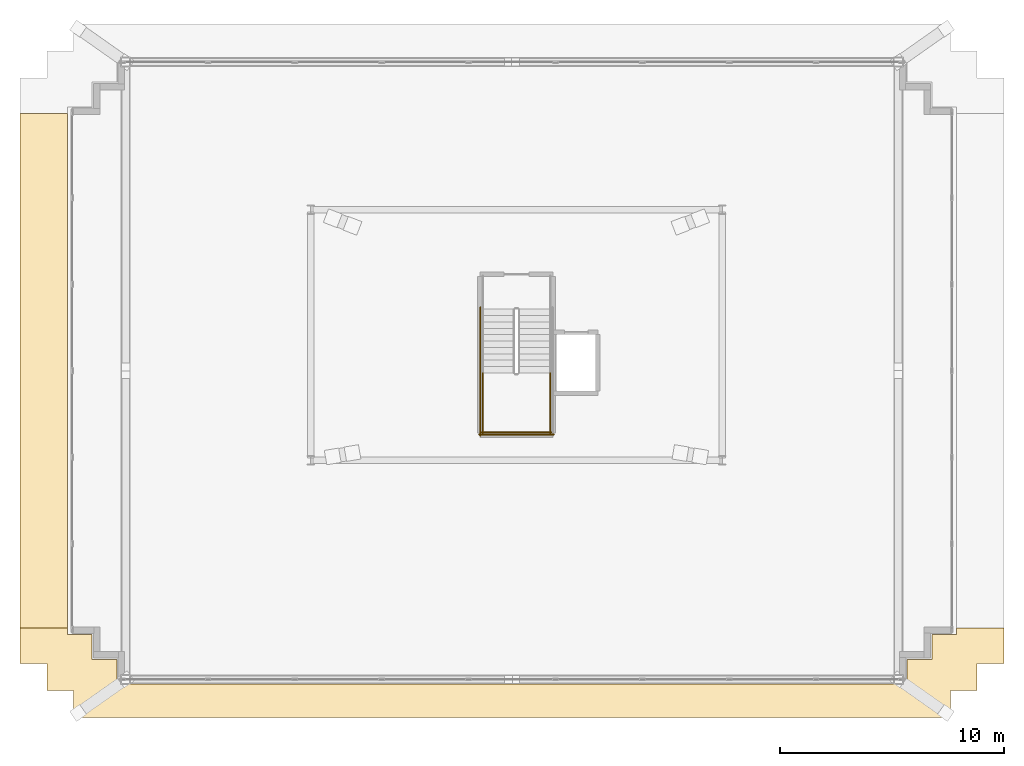
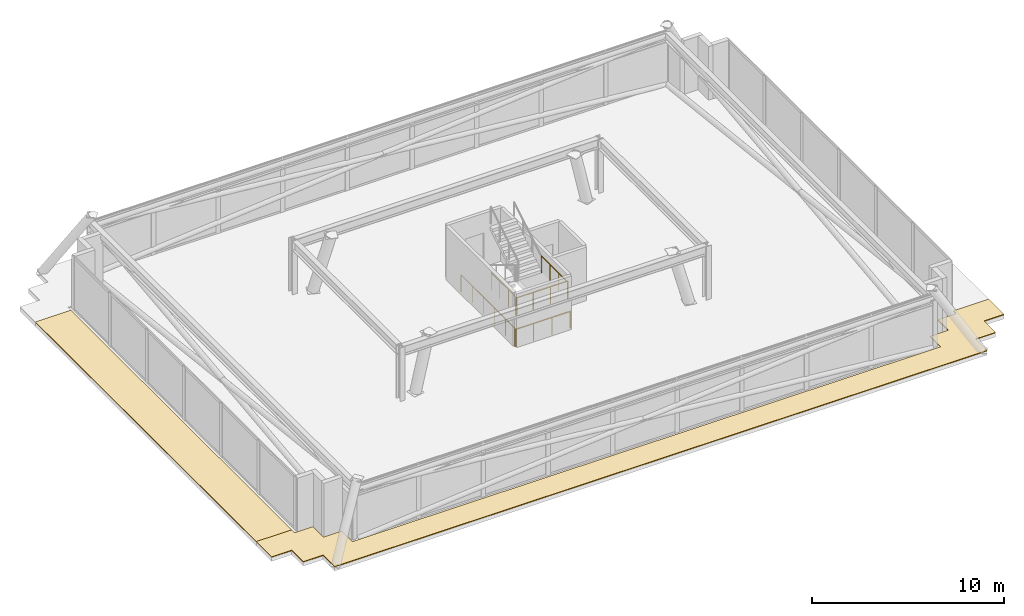
# One storey, part 20 of 22: 5 railings, 2 coverings.
"""IFC4 building model written with IfcOpenShell, lengths in metres."""

from ifc_helpers import new_model, si_unit, direction, frame, origin, origin_2d, place, context, subcontext, project, spatial, polyline, circle, outline, extrude, material, layer, layer_set, type_object, element, save


model = new_model("IFC4")

# Units and contexts
model_context = context("Model", 3, precision=1e-05, world=origin(), true_north=direction((0.0, 1.0)))
body_context = subcontext(model_context, "Body", "Model", "MODEL_VIEW")
ifc_project = project(units=[si_unit("LENGTHUNIT", "METRE"), si_unit("AREAUNIT", "SQUARE_METRE"), si_unit("VOLUMEUNIT", "CUBIC_METRE"), si_unit("PLANEANGLEUNIT", "RADIAN"), si_unit("MASSUNIT", "GRAM", prefix="KILO")], contexts=[model_context])

# Site, building, storey
site_placement = place(None, origin())
site = spatial("IfcSite", under=ifc_project, at=site_placement, CompositionType="ELEMENT")
building_placement = place(site_placement, origin())
building = spatial("IfcBuilding", under=site, at=building_placement, Name="Qobustan Lattice House", CompositionType="ELEMENT")
storey_placement = place(building_placement, frame((0.0, 0.0, 274.0)))
storey = spatial("IfcBuildingStorey", under=building, at=storey_placement, Name="L77", CompositionType="ELEMENT", Elevation=274.0)

# Coverings
ifc_material_1 = material(Name="Insulated stone-ballasted roof membrane", Category="masonry")
ifc_layer = layer(ifc_material_1, 0.050048828125)
ifc_layer_set = layer_set([ifc_layer], Name="Insulated stone-ballasted roof membrane")
covering_type = type_object("IfcCoveringType", Name="COV-ROOF-MEMB", PredefinedType="ROOFING", material=ifc_layer_set)
covering_1_placement = place(storey_placement, origin())
element("IfcCovering", 1, at=covering_1_placement, inside=storey, type_object=covering_type, Name="L77 crown step roof membrane 1", PredefinedType="ROOFING", context=body_context, shape_type="SweptSolid", body=[
    extrude(outline(polyline([(-19.800048828125, -15.89990234375), (-19.800048828125, -17.10009765625), (19.39990234375, -17.10009765625), (19.39990234375, -15.89990234375), (20.60009765625, -15.89990234375), (20.60009765625, -14.699951171875), (21.800048828125, -14.699951171875), (21.800048828125, -13.1015625), (19.673583984375, -13.1015625), (19.673583984375, -13.401611328125), (18.573486328125, -13.401611328125), (18.573486328125, -14.50146484375), (17.473388671875, -14.50146484375), (17.473388671875, -15.6015625), (-17.87353515625, -15.6015625), (-17.87353515625, -14.50146484375), (-18.973388671875, -14.50146484375), (-18.973388671875, -13.401611328125), (-20.073486328125, -13.401611328125), (-20.073486328125, -13.1015625), (-22.199951171875, -13.1015625), (-22.199951171875, -14.699951171875), (-21.0, -14.699951171875), (-21.0, -15.89990234375), (-19.800048828125, -15.89990234375)])), origin(), (0.0, 0.0, 1.0), 0.050048828125),
])
covering_2_placement = place(storey_placement, origin())
element("IfcCovering", 2, at=covering_2_placement, inside=storey, type_object=covering_type, Name="L77 crown step roof membrane 3", PredefinedType="ROOFING", context=body_context, shape_type="SweptSolid", body=[
    extrude(outline(polyline([(-22.199951171875, -13.1015625), (-20.073486328125, -13.1015625), (-20.073486328125, 9.901611328125), (-22.199951171875, 9.901611328125), (-22.199951171875, -13.1015625)])), origin(), (0.0, 0.0, 1.0), 0.050048828125),
])

# Railings
ifc_material_2 = material(Name="Painted galvanized steel guardrail", Category="steel")
railing_type = type_object("IfcRailingType", Name="RAL-STG-1150", PredefinedType="GUARDRAIL", material=ifc_material_2)
for number, where, name in (
    (3, (-1.510009765625, -1.699951171875, 1.89990234375), "L77 ST-C1 stair guard 3"),
    (4, (1.510009765625, -1.699951171875, 1.89990234375), "L77 ST-C1 stair guard 4"),
):
    element("IfcRailing", number, at=place(storey_placement, frame(where)), inside=storey, type_object=railing_type, Name=name, PredefinedType="GUARDRAIL", context=body_context, shape_type="SweptSolid", body=[
        extrude(circle(Radius=0.02392578125, at=origin_2d()), frame((0.0, 0.0, 1.076171875), z_axis=(0.0, -1.0, 0.0), x_axis=(1.0, 0.0, 0.0)), (0.0, 0.0, 1.0), 2.699951171875),
        extrude(circle(Radius=0.02099609375, at=origin_2d()), origin(), (0.0, 0.0, 1.0), 1.052001953125),
        extrude(circle(Radius=0.02099609375, at=origin_2d()), frame((0.0, -0.89990234375, 0.0)), (0.0, 0.0, 1.0), 1.052001953125),
        extrude(circle(Radius=0.02099609375, at=origin_2d()), frame((0.0, -1.800048828125, 0.0)), (0.0, 0.0, 1.0), 1.052001953125),
        extrude(circle(Radius=0.02099609375, at=origin_2d()), frame((0.0, -2.699951171875, 0.0)), (0.0, 0.0, 1.0), 1.052001953125),
    ])
railing_1_placement = place(storey_placement, frame((-1.56005859375, -4.35009765625, 1.89990234375)))
element("IfcRailing", 5, at=railing_1_placement, inside=storey, type_object=railing_type, Name="L77 ST-C1 stair guard 5", PredefinedType="GUARDRAIL", context=body_context, shape_type="SweptSolid", body=[
    extrude(circle(Radius=0.02392578125, at=origin_2d()), frame((0.0, 0.0, 1.076171875), z_axis=(1.0, 0.0, 0.0), x_axis=(0.0, 1.0, 0.0)), (0.0, 0.0, 1.0), 3.1201171875),
    extrude(circle(Radius=0.02099609375, at=origin_2d()), origin(), (0.0, 0.0, 1.0), 1.052001953125),
    extrude(circle(Radius=0.02099609375, at=origin_2d()), frame((1.0400390625, 0.0, 0.0)), (0.0, 0.0, 1.0), 1.052001953125),
    extrude(circle(Radius=0.02099609375, at=origin_2d()), frame((2.080078125, 0.0, 0.0)), (0.0, 0.0, 1.0), 1.052001953125),
    extrude(circle(Radius=0.02099609375, at=origin_2d()), frame((3.1201171875, 0.0, 0.0)), (0.0, 0.0, 1.0), 1.052001953125),
])
railing_2_placement = place(storey_placement, frame((-1.610107421875, 1.25, 0.0)))
element("IfcRailing", 6, at=railing_2_placement, inside=storey, type_object=railing_type, Name="L77 ST-C1 stair guard 10", PredefinedType="GUARDRAIL", context=body_context, shape_type="SweptSolid", body=[
    extrude(circle(Radius=0.02392578125, at=origin_2d()), frame((0.0, 0.0, 1.076171875), z_axis=(0.0, -1.0, 0.0), x_axis=(1.0, 0.0, 0.0)), (0.0, 0.0, 1.0), 5.75),
    extrude(circle(Radius=0.02099609375, at=origin_2d()), origin(), (0.0, 0.0, 1.0), 1.052001953125),
    extrude(circle(Radius=0.02099609375, at=origin_2d()), frame((0.0, -1.14990234375, 0.0)), (0.0, 0.0, 1.0), 1.052001953125),
    extrude(circle(Radius=0.02099609375, at=origin_2d()), frame((0.0, -2.300048828125, 0.0)), (0.0, 0.0, 1.0), 1.052001953125),
    extrude(circle(Radius=0.02099609375, at=origin_2d()), frame((0.0, -3.449951171875, 0.0)), (0.0, 0.0, 1.0), 1.052001953125),
    extrude(circle(Radius=0.02099609375, at=origin_2d()), frame((0.0, -4.60009765625, 0.0)), (0.0, 0.0, 1.0), 1.052001953125),
    extrude(circle(Radius=0.02099609375, at=origin_2d()), frame((0.0, -5.75, 0.0)), (0.0, 0.0, 1.0), 1.052001953125),
])
railing_3_placement = place(storey_placement, frame((-1.659912109375, -4.449951171875, 0.0)))
element("IfcRailing", 7, at=railing_3_placement, inside=storey, type_object=railing_type, Name="L77 ST-C1 stair guard 12", PredefinedType="GUARDRAIL", context=body_context, shape_type="SweptSolid", body=[
    extrude(circle(Radius=0.02392578125, at=origin_2d()), frame((0.0, 0.0, 1.076171875), z_axis=(1.0, 0.0, 0.0), x_axis=(0.0, 1.0, 0.0)), (0.0, 0.0, 1.0), 3.31982421875),
    extrude(circle(Radius=0.02099609375, at=origin_2d()), origin(), (0.0, 0.0, 1.0), 1.052001953125),
    extrude(circle(Radius=0.02099609375, at=origin_2d()), frame((1.106689453125, 0.0, 0.0)), (0.0, 0.0, 1.0), 1.052001953125),
    extrude(circle(Radius=0.02099609375, at=origin_2d()), frame((2.213134765625, 0.0, 0.0)), (0.0, 0.0, 1.0), 1.052001953125),
    extrude(circle(Radius=0.02099609375, at=origin_2d()), frame((3.31982421875, 0.0, 0.0)), (0.0, 0.0, 1.0), 1.052001953125),
])

save(model, "model.ifc")
